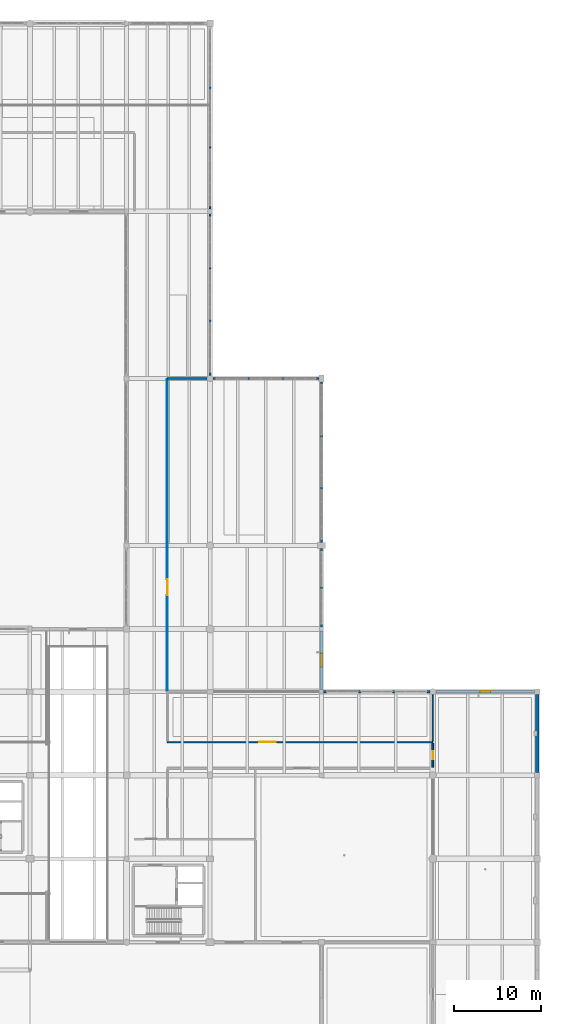
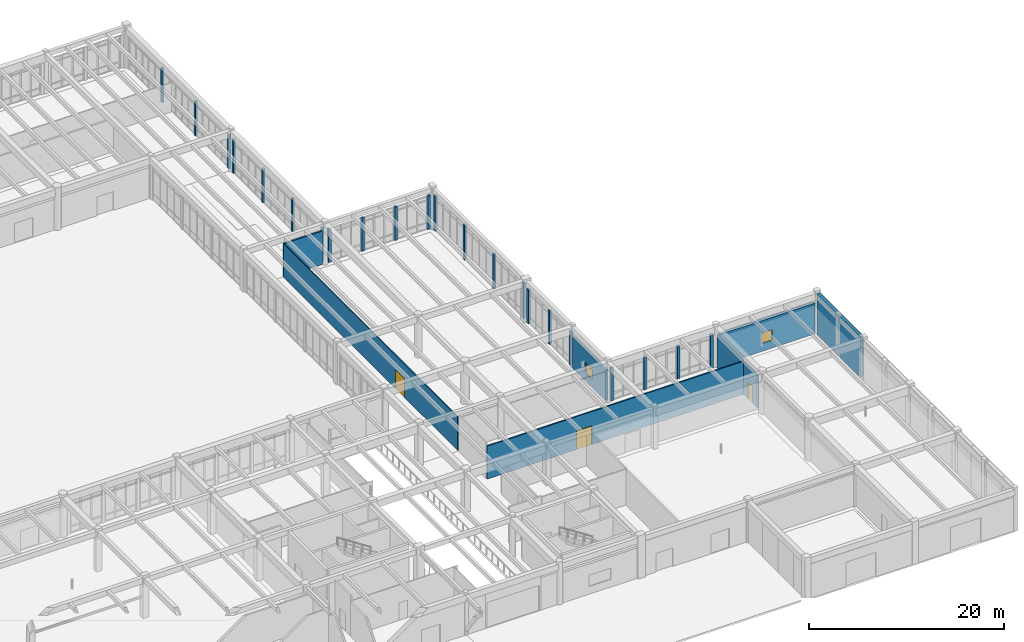
# One storey, part 116 of 138: 30 walls, 3 doors, 2 windows, 5 openings.
"""IFC4 building model written with IfcOpenShell, lengths in metres."""

from ifc_helpers import new_model, si_unit, direction, frame, frame_2d, origin, place, context, subcontext, project, spatial, rectangle, extrude, material, layer, layer_set, type_object, element, fill, save


model = new_model("IFC4")

# Units and contexts
model_context = context("Model", 3, precision=1e-05, world=origin(), true_north=direction((0.0, 1.0)))
body_context = subcontext(model_context, "Body", "Model", "MODEL_VIEW")
ifc_project = project(units=[si_unit("LENGTHUNIT", "METRE"), si_unit("AREAUNIT", "SQUARE_METRE"), si_unit("VOLUMEUNIT", "CUBIC_METRE"), si_unit("PLANEANGLEUNIT", "RADIAN"), si_unit("MASSUNIT", "GRAM", prefix="KILO")], contexts=[model_context])

# Site, building, storey
site_placement = place(None, origin())
site = spatial("IfcSite", under=ifc_project, at=site_placement, CompositionType="ELEMENT")
building_placement = place(site_placement, origin())
building = spatial("IfcBuilding", under=site, at=building_placement, Name="Fikremerkos Civic Library", CompositionType="ELEMENT")
storey_placement = place(building_placement, origin())
storey = spatial("IfcBuildingStorey", under=building, at=storey_placement, Name="L00", CompositionType="ELEMENT", Elevation=0.0)

# Wall
ifc_material_1 = material(Name="Concrete C40/50", Category="concrete")
ifc_layer_1 = layer(ifc_material_1, 0.35009765625, Name="Concrete C40/50")
ifc_layer_set_1 = layer_set([ifc_layer_1], Name="Concrete C40/50")
wall_type_1 = type_object("IfcWallType", Name="Exterior solid wall ESW-01 350", PredefinedType="SOLIDWALL", material=ifc_layer_set_1)
wall_1_placement = place(storey_placement, frame((172.0, 40.501953125, 0.0), z_axis=(0.0, 0.0, 1.0), x_axis=(0.0, -1.0, 0.0)))
element("IfcWall", 1, at=wall_1_placement, inside=storey, type_object=wall_type_1, Name="Party boundary wall ESW-01 L00 #307", PredefinedType="SOLIDWALL", context=body_context, shape_type="SweptSolid", body=[
    extrude(rectangle(XDim=8.97900390625, YDim=0.35009765625, at=frame_2d((4.489501953125, 0.0))), origin(), (0.0, 0.0, 1.0), 5.10009765625),
])

# Wall, opening, window
ifc_material_2 = material(Name="Precast concrete C40/50", Category="concrete")
ifc_layer_2 = layer(ifc_material_2, 0.320068359375, Name="Precast concrete C40/50")
ifc_layer_set_2 = layer_set([ifc_layer_2], Name="Precast concrete C40/50")
wall_type_2 = type_object("IfcWallType", Name="Exterior solid wall ESW-02 320", PredefinedType="SOLIDWALL", material=ifc_layer_set_2)
wall_2_placement = place(storey_placement, frame((147.199951171875, 47.777099609375, 0.0), z_axis=(0.0, 0.0, 1.0), x_axis=(0.0, -1.0, 0.0)))
wall_2 = element("IfcWall", 2, at=wall_2_placement, inside=storey, type_object=wall_type_2, Name="Exterior solid wall ESW-02 L00 #301", PredefinedType="SOLIDWALL", context=body_context, shape_type="SweptSolid", body=[
    extrude(rectangle(XDim=6.72900390625, YDim=0.320068359375, at=frame_2d((3.364501953125, 0.0))), origin(), (0.0, 0.0, 1.0), 3.85009765625),
])
opening_1_placement = place(wall_2_placement, frame((2.614501953125, 0.0, 0.949951171875)))
opening_1 = element("IfcOpeningElement", 3, at=opening_1_placement, cuts=wall_2, Name="Opening CWND-10", PredefinedType="OPENING", context=body_context, shape_type="SweptSolid", body=[
    extrude(rectangle(XDim=1.5, YDim=1.35009765625, at=frame_2d((0.75, 0.675048828125))), frame((0.0, 0.169921875, 0.0), z_axis=(0.0, -1.0, 0.0), x_axis=(1.0, 0.0, 0.0)), (0.0, 0.0, 1.0), 0.340087890625),
])
ifc_material_3 = material(Name="Solar control double glazing", Category="glass")
window_type_1 = type_object("IfcWindowType", Name="Courtyard window CWND-10 1500x1350", PartitioningType="SINGLE_PANEL", PredefinedType="WINDOW", material=ifc_material_3)
window_1_placement = place(opening_1_placement, origin())
window_1 = element("IfcWindow", 4, at=window_1_placement, inside=storey, type_object=window_type_1, Name="Courtyard window CWND-10 L00 #10", OverallHeight=1.35009765625, OverallWidth=1.5, PartitioningType="SINGLE_PANEL", PredefinedType="WINDOW", context=body_context, shape_type="SweptSolid", body=[
    extrude(rectangle(XDim=1.5, YDim=1.35009765625, at=frame_2d((0.75, 0.675048828125))), frame((0.0, 0.032470703125, 0.0), z_axis=(0.0, -1.0, 0.0), x_axis=(1.0, 0.0, 0.0)), (0.0, 0.0, 1.0), 0.06494140625),
])
fill(opening_1, window_1)

wall_3_placement = place(storey_placement, frame((160.347900390625, 40.800048828125, 0.0), z_axis=(0.0, 0.0, 1.0), x_axis=(1.0, 0.0, 0.0)))
wall_3 = element("IfcWall", 5, at=wall_3_placement, inside=storey, type_object=wall_type_2, Name="Exterior solid wall ESW-02 L00 #306", PredefinedType="SOLIDWALL", context=body_context, shape_type="SweptSolid", body=[
    extrude(rectangle(XDim=11.35400390625, YDim=0.320068359375, at=frame_2d((5.677001953125, 0.0))), origin(), (0.0, 0.0, 1.0), 3.85009765625),
])
opening_2_placement = place(wall_3_placement, frame((5.076904296875, 0.0, 0.949951171875)))
opening_2 = element("IfcOpeningElement", 6, at=opening_2_placement, cuts=wall_3, Name="Opening CWND-11", PredefinedType="OPENING", context=body_context, shape_type="SweptSolid", body=[
    extrude(rectangle(XDim=1.199951171875, YDim=1.35009765625, at=frame_2d((0.60009765625, 0.675048828125))), frame((0.0, 0.169921875, 0.0), z_axis=(0.0, -1.0, 0.0), x_axis=(1.0, 0.0, 0.0)), (0.0, 0.0, 1.0), 0.340087890625),
])
window_type_2 = type_object("IfcWindowType", Name="Courtyard window CWND-11 1200x1350", PartitioningType="SINGLE_PANEL", PredefinedType="WINDOW", material=ifc_material_3)
window_2_placement = place(opening_2_placement, origin())
window_2 = element("IfcWindow", 7, at=window_2_placement, inside=storey, type_object=window_type_2, Name="Courtyard window CWND-11 L00 #11", OverallHeight=1.35009765625, OverallWidth=1.199951171875, PartitioningType="SINGLE_PANEL", PredefinedType="WINDOW", context=body_context, shape_type="SweptSolid", body=[
    extrude(rectangle(XDim=1.199951171875, YDim=1.35009765625, at=frame_2d((0.60009765625, 0.675048828125))), frame((0.0, 0.032470703125, 0.0), z_axis=(0.0, -1.0, 0.0), x_axis=(1.0, 0.0, 0.0)), (0.0, 0.0, 1.0), 0.06494140625),
])
fill(opening_2, window_2)

# Walls
ifc_layer_3 = layer(ifc_material_2, 0.25, Name="Precast concrete C40/50")
ifc_layer_set_3 = layer_set([ifc_layer_3], Name="Precast concrete C40/50")
wall_type_3 = type_object("IfcWallType", Name="Exterior solid wall ESW-05 250", PredefinedType="SOLIDWALL", material=ifc_layer_set_3)
wall_4_placement = place(storey_placement, frame((134.39990234375, 96.64794921875, 0.0), z_axis=(0.0, 0.0, 1.0), x_axis=(0.0, -1.0, 0.0)))
element("IfcWall", 8, at=wall_4_placement, inside=storey, type_object=wall_type_3, Name="Exterior facade pier ESW-05 #283", PredefinedType="SOLIDWALL", context=body_context, shape_type="SweptSolid", body=[
    extrude(rectangle(XDim=0.349853515625, YDim=0.25, at=frame_2d((0.1748046875, 0.0))), origin(), (0.0, 0.0, 1.0), 4.27001953125),
])
for number, where, z_axis, x_axis, name in (
    (9, (134.39990234375, 110.333984375, 0.0), (0.0, 0.0, 1.0), (0.0, -1.0, 0.0), "Exterior facade mullion pier ESW-05 #284"),
    (10, (134.39990234375, 103.490966796875, 0.0), (0.0, 0.0, 1.0), (0.0, -1.0, 0.0), "Exterior facade mullion pier ESW-05 #285"),
):
    element("IfcWall", number, at=place(storey_placement, frame(where, z_axis=z_axis, x_axis=x_axis)), inside=storey, type_object=wall_type_3, Name=name, PredefinedType="SOLIDWALL", context=body_context, shape_type="SweptSolid", body=[
        extrude(rectangle(XDim=0.300048828125, YDim=0.25, at=frame_2d((0.14990234375, 0.0))), origin(), (0.0, 0.0, 1.0), 4.27001953125),
    ])
wall_5_placement = place(storey_placement, frame((134.39990234375, 95.701904296875, 0.0), z_axis=(0.0, 0.0, 1.0), x_axis=(0.0, -1.0, 0.0)))
element("IfcWall", 11, at=wall_5_placement, inside=storey, type_object=wall_type_3, Name="Exterior facade pier ESW-05 #286", PredefinedType="SOLIDWALL", context=body_context, shape_type="SweptSolid", body=[
    extrude(rectangle(XDim=0.349853515625, YDim=0.25, at=frame_2d((0.1748046875, 0.0))), origin(), (0.0, 0.0, 1.0), 4.199951171875),
])
wall_6_placement = place(storey_placement, frame((134.39990234375, 77.498046875, 0.0), z_axis=(0.0, 0.0, 1.0), x_axis=(0.0, -1.0, 0.0)))
element("IfcWall", 12, at=wall_6_placement, inside=storey, type_object=wall_type_3, Name="Exterior facade pier ESW-05 #287", PredefinedType="SOLIDWALL", context=body_context, shape_type="SweptSolid", body=[
    extrude(rectangle(XDim=0.35009765625, YDim=0.25, at=frame_2d((0.175048828125, 0.0))), origin(), (0.0, 0.0, 1.0), 4.199951171875),
])
wall_7_placement = place(storey_placement, frame((134.39990234375, 89.6005859375, 0.0), z_axis=(0.0, 0.0, 1.0), x_axis=(0.0, -1.0, 0.0)))
element("IfcWall", 13, at=wall_7_placement, inside=storey, type_object=wall_type_3, Name="Exterior facade mullion pier ESW-05 #288", PredefinedType="SOLIDWALL", context=body_context, shape_type="SweptSolid", body=[
    extrude(rectangle(XDim=0.2998046875, YDim=0.25, at=frame_2d((0.14990234375, 0.0))), origin(), (0.0, 0.0, 1.0), 4.199951171875),
])
wall_8_placement = place(storey_placement, frame((134.39990234375, 83.54931640625, 0.0), z_axis=(0.0, 0.0, 1.0), x_axis=(0.0, -1.0, 0.0)))
element("IfcWall", 14, at=wall_8_placement, inside=storey, type_object=wall_type_3, Name="Exterior facade mullion pier ESW-05 #289", PredefinedType="SOLIDWALL", context=body_context, shape_type="SweptSolid", body=[
    extrude(rectangle(XDim=0.300048828125, YDim=0.25, at=frame_2d((0.14990234375, 0.0))), origin(), (0.0, 0.0, 1.0), 4.199951171875),
])
wall_9_placement = place(storey_placement, frame((134.748046875, 76.800048828125, 0.0), z_axis=(0.0, 0.0, 1.0), x_axis=(1.0, 0.0, 0.0)))
element("IfcWall", 15, at=wall_9_placement, inside=storey, type_object=wall_type_3, Name="Exterior facade pier ESW-05 #290", PredefinedType="SOLIDWALL", context=body_context, shape_type="SweptSolid", body=[
    extrude(rectangle(XDim=0.349853515625, YDim=0.25, at=frame_2d((0.1748046875, 0.0))), origin(), (0.0, 0.0, 1.0), 4.199951171875),
])
wall_10_placement = place(storey_placement, frame((146.552001953125, 76.800048828125, 0.0), z_axis=(0.0, 0.0, 1.0), x_axis=(1.0, 0.0, 0.0)))
element("IfcWall", 16, at=wall_10_placement, inside=storey, type_object=wall_type_3, Name="Exterior facade pier ESW-05 #291", PredefinedType="SOLIDWALL", context=body_context, shape_type="SweptSolid", body=[
    extrude(rectangle(XDim=0.35009765625, YDim=0.25, at=frame_2d((0.175048828125, 0.0))), origin(), (0.0, 0.0, 1.0), 4.199951171875),
])
for number, where, z_axis, x_axis, name in (
    (17, (138.716064453125, 76.800048828125, 0.0), (0.0, 0.0, 1.0), (1.0, 0.0, 0.0), "Exterior facade mullion pier ESW-05 #292"),
    (18, (142.634033203125, 76.800048828125, 0.0), (0.0, 0.0, 1.0), (1.0, 0.0, 0.0), "Exterior facade mullion pier ESW-05 #293"),
):
    element("IfcWall", number, at=place(storey_placement, frame(where, z_axis=z_axis, x_axis=x_axis)), inside=storey, type_object=wall_type_3, Name=name, PredefinedType="SOLIDWALL", context=body_context, shape_type="SweptSolid", body=[
        extrude(rectangle(XDim=0.300048828125, YDim=0.25, at=frame_2d((0.14990234375, 0.0))), origin(), (0.0, 0.0, 1.0), 4.199951171875),
    ])
for number, where, z_axis, x_axis, name in (
    (19, (147.199951171875, 76.402099609375, 0.0), (0.0, 0.0, 1.0), (0.0, -1.0, 0.0), "Exterior facade pier ESW-05 #294"),
    (20, (147.199951171875, 58.298095703125, 0.0), (0.0, 0.0, 1.0), (0.0, -1.0, 0.0), "Exterior facade pier ESW-05 #295"),
):
    element("IfcWall", number, at=place(storey_placement, frame(where, z_axis=z_axis, x_axis=x_axis)), inside=storey, type_object=wall_type_3, Name=name, PredefinedType="SOLIDWALL", context=body_context, shape_type="SweptSolid", body=[
        extrude(rectangle(XDim=0.35009765625, YDim=0.25, at=frame_2d((0.175048828125, 0.0))), origin(), (0.0, 0.0, 1.0), 4.39990234375),
    ])
wall_11_placement = place(storey_placement, frame((147.199951171875, 70.333984375, 0.0), z_axis=(0.0, 0.0, 1.0), x_axis=(0.0, -1.0, 0.0)))
element("IfcWall", 21, at=wall_11_placement, inside=storey, type_object=wall_type_3, Name="Exterior facade mullion pier ESW-05 #296", PredefinedType="SOLIDWALL", context=body_context, shape_type="SweptSolid", body=[
    extrude(rectangle(XDim=0.300048828125, YDim=0.25, at=frame_2d((0.14990234375, 0.0))), origin(), (0.0, 0.0, 1.0), 4.39990234375),
])
wall_12_placement = place(storey_placement, frame((147.199951171875, 64.31591796875, 0.0), z_axis=(0.0, 0.0, 1.0), x_axis=(0.0, -1.0, 0.0)))
element("IfcWall", 22, at=wall_12_placement, inside=storey, type_object=wall_type_3, Name="Exterior facade mullion pier ESW-05 #297", PredefinedType="SOLIDWALL", context=body_context, shape_type="SweptSolid", body=[
    extrude(rectangle(XDim=0.2998046875, YDim=0.25, at=frame_2d((0.14990234375, 0.0))), origin(), (0.0, 0.0, 1.0), 4.39990234375),
])
wall_13_placement = place(storey_placement, frame((147.199951171875, 57.251953125, 0.0), z_axis=(0.0, 0.0, 1.0), x_axis=(0.0, -1.0, 0.0)))
element("IfcWall", 23, at=wall_13_placement, inside=storey, type_object=wall_type_3, Name="Exterior facade pier ESW-05 #298", PredefinedType="SOLIDWALL", context=body_context, shape_type="SweptSolid", body=[
    extrude(rectangle(XDim=0.349853515625, YDim=0.25, at=frame_2d((0.1748046875, 0.0))), origin(), (0.0, 0.0, 1.0), 4.25),
])
wall_14_placement = place(storey_placement, frame((147.199951171875, 48.572998046875, 0.0), z_axis=(0.0, 0.0, 1.0), x_axis=(0.0, -1.0, 0.0)))
element("IfcWall", 24, at=wall_14_placement, inside=storey, type_object=wall_type_3, Name="Exterior facade pier ESW-05 #299", PredefinedType="SOLIDWALL", context=body_context, shape_type="SweptSolid", body=[
    extrude(rectangle(XDim=0.35009765625, YDim=0.25, at=frame_2d((0.175048828125, 0.0))), origin(), (0.0, 0.0, 1.0), 4.25),
])
wall_15_placement = place(storey_placement, frame((147.199951171875, 52.887451171875, 0.0), z_axis=(0.0, 0.0, 1.0), x_axis=(0.0, -1.0, 0.0)))
element("IfcWall", 25, at=wall_15_placement, inside=storey, type_object=wall_type_3, Name="Exterior facade mullion pier ESW-05 #300", PredefinedType="SOLIDWALL", context=body_context, shape_type="SweptSolid", body=[
    extrude(rectangle(XDim=0.300048828125, YDim=0.25, at=frame_2d((0.14990234375, 0.0))), origin(), (0.0, 0.0, 1.0), 4.25),
])
for number, where, z_axis, x_axis, name in (
    (26, (147.447998046875, 40.800048828125, 0.0), (0.0, 0.0, 1.0), (1.0, 0.0, 0.0), "Exterior facade pier ESW-05 #302"),
    (27, (159.302001953125, 40.800048828125, 0.0), (0.0, 0.0, 1.0), (1.0, 0.0, 0.0), "Exterior facade pier ESW-05 #303"),
):
    element("IfcWall", number, at=place(storey_placement, frame(where, z_axis=z_axis, x_axis=x_axis)), inside=storey, type_object=wall_type_3, Name=name, PredefinedType="SOLIDWALL", context=body_context, shape_type="SweptSolid", body=[
        extrude(rectangle(XDim=0.35009765625, YDim=0.25, at=frame_2d((0.175048828125, 0.0))), origin(), (0.0, 0.0, 1.0), 4.139892578125),
    ])
wall_16_placement = place(storey_placement, frame((151.4326171875, 40.800048828125, 0.0), z_axis=(0.0, 0.0, 1.0), x_axis=(1.0, 0.0, 0.0)))
element("IfcWall", 28, at=wall_16_placement, inside=storey, type_object=wall_type_3, Name="Exterior facade mullion pier ESW-05 #304", PredefinedType="SOLIDWALL", context=body_context, shape_type="SweptSolid", body=[
    extrude(rectangle(XDim=0.300048828125, YDim=0.25, at=frame_2d((0.14990234375, 0.0))), origin(), (0.0, 0.0, 1.0), 4.139892578125),
])
wall_17_placement = place(storey_placement, frame((155.367431640625, 40.800048828125, 0.0), z_axis=(0.0, 0.0, 1.0), x_axis=(1.0, 0.0, 0.0)))
element("IfcWall", 29, at=wall_17_placement, inside=storey, type_object=wall_type_3, Name="Exterior facade mullion pier ESW-05 #305", PredefinedType="SOLIDWALL", context=body_context, shape_type="SweptSolid", body=[
    extrude(rectangle(XDim=0.2998046875, YDim=0.25, at=frame_2d((0.14990234375, 0.0))), origin(), (0.0, 0.0, 1.0), 4.139892578125),
])
ifc_material_4 = material(Name="Acoustic concrete blockwork", Category="masonry")
ifc_layer_4 = layer(ifc_material_4, 0.18994140625, Name="Acoustic concrete blockwork")
ifc_layer_set_4 = layer_set([ifc_layer_4], Name="Acoustic concrete blockwork")
wall_type_4 = type_object("IfcWallType", Name="Interior partition wall IPW-01 190", PredefinedType="PARTITIONING", material=ifc_layer_set_4)
wall_18_placement = place(storey_placement, frame((129.5, 76.800048828125, 0.0), z_axis=(0.0, 0.0, 1.0), x_axis=(1.0, 0.0, 0.0)))
element("IfcWall", 30, at=wall_18_placement, inside=storey, type_object=wall_type_4, Name="Interior wall IPW-01 L00 #116", PredefinedType="PARTITIONING", context=body_context, shape_type="SweptSolid", body=[
    extrude(rectangle(XDim=4.547119140625, YDim=0.18994140625, at=frame_2d((2.2734375, 0.0))), origin(), (0.0, 0.0, 1.0), 4.199951171875),
])

# Wall, opening, door
wall_19_placement = place(storey_placement, frame((160.0, 32.10498046875, 0.0), z_axis=(0.0, 0.0, 1.0), x_axis=(0.0, 1.0, 0.0)))
wall_19 = element("IfcWall", 31, at=wall_19_placement, inside=storey, type_object=wall_type_4, Name="Interior wall IPW-01 L00 #144", PredefinedType="PARTITIONING", context=body_context, shape_type="SweptSolid", body=[
    extrude(rectangle(XDim=2.7900390625, YDim=0.18994140625, at=frame_2d((1.39501953125, 0.0))), origin(), (0.0, 0.0, 1.0), 4.139892578125),
])
opening_3_placement = place(wall_19_placement, frame((0.919921875, 0.0, 0.0)))
opening_3 = element("IfcOpeningElement", 32, at=opening_3_placement, cuts=wall_19, Name="Opening D179", PredefinedType="OPENING", context=body_context, shape_type="SweptSolid", body=[
    extrude(rectangle(XDim=0.949951171875, YDim=2.14990234375, at=frame_2d((0.47509765625, 1.074951171875))), frame((0.0, 0.10498046875, 0.0), z_axis=(0.0, -1.0, 0.0), x_axis=(1.0, 0.0, 0.0)), (0.0, 0.0, 1.0), 0.2099609375),
])
ifc_material_5 = material(Name="Hardwood timber and acoustic glass", Category="wood")
door_type_1 = type_object("IfcDoorType", Name="Pedestrian door DT-02 950x2150", OperationType="NOTDEFINED", PredefinedType="DOOR", material=ifc_material_5)
door_1_placement = place(opening_3_placement, origin())
door_1 = element("IfcDoor", 33, at=door_1_placement, inside=storey, type_object=door_type_1, Name="Interior door D179 L00", OperationType="SINGLE_SWING_LEFT", OverallHeight=2.14990234375, OverallWidth=0.949951171875, PredefinedType="DOOR", context=body_context, shape_type="SweptSolid", body=[
    extrude(rectangle(XDim=0.949951171875, YDim=2.14990234375, at=frame_2d((0.47509765625, 1.074951171875))), frame((0.0, 0.032470703125, 0.0), z_axis=(0.0, -1.0, 0.0), x_axis=(1.0, 0.0, 0.0)), (0.0, 0.0, 1.0), 0.06494140625),
])
fill(opening_3, door_1)

ifc_material_6 = material(Name="Acoustic gypsum stud partition")
ifc_layer_5 = layer(ifc_material_6, 0.14990234375, Name="Acoustic gypsum stud partition")
ifc_layer_set_5 = layer_set([ifc_layer_5], Name="Acoustic gypsum stud partition")
wall_type_5 = type_object("IfcWallType", Name="Interior partition wall IPW-02 150", PredefinedType="PARTITIONING", material=ifc_layer_set_5)
wall_20_placement = place(storey_placement, frame((129.5, 35.0, 0.0), z_axis=(0.0, 0.0, 1.0), x_axis=(1.0, 0.0, 0.0)))
wall_20 = element("IfcWall", 34, at=wall_20_placement, inside=storey, type_object=wall_type_5, Name="Interior wall IPW-02 L00 #113", PredefinedType="PARTITIONING", context=body_context, shape_type="SweptSolid", body=[
    extrude(rectangle(XDim=30.5, YDim=0.14990234375, at=frame_2d((15.25, 0.0))), origin(), (0.0, 0.0, 1.0), 4.139892578125),
])
opening_4_placement = place(wall_20_placement, frame((10.574951171875, 0.0, 0.0)))
opening_4 = element("IfcOpeningElement", 35, at=opening_4_placement, cuts=wall_20, Name="Opening D181", PredefinedType="OPENING", context=body_context, shape_type="SweptSolid", body=[
    extrude(rectangle(XDim=1.85009765625, YDim=2.35009765625, at=frame_2d((0.925048828125, 1.175048828125))), frame((0.0, 0.0849609375, 0.0), z_axis=(0.0, -1.0, 0.0), x_axis=(1.0, 0.0, 0.0)), (0.0, 0.0, 1.0), 0.169921875),
])
door_type_2 = type_object("IfcDoorType", Name="Pedestrian door DT-09 1850x2350", OperationType="NOTDEFINED", PredefinedType="DOOR", material=ifc_material_5)
door_2_placement = place(opening_4_placement, origin())
door_2 = element("IfcDoor", 36, at=door_2_placement, inside=storey, type_object=door_type_2, Name="Interior door D181 L00", OperationType="SINGLE_SWING_RIGHT", OverallHeight=2.35009765625, OverallWidth=1.85009765625, PredefinedType="DOOR", context=body_context, shape_type="SweptSolid", body=[
    extrude(rectangle(XDim=1.85009765625, YDim=2.35009765625, at=frame_2d((0.925048828125, 1.175048828125))), frame((0.0, 0.032470703125, 0.0), z_axis=(0.0, -1.0, 0.0), x_axis=(1.0, 0.0, 0.0)), (0.0, 0.0, 1.0), 0.06494140625),
])
fill(opening_4, door_2)

# Wall
wall_21_placement = place(storey_placement, frame((160.0, 35.10498046875, 0.0), z_axis=(0.0, 0.0, 1.0), x_axis=(0.0, 1.0, 0.0)))
element("IfcWall", 37, at=wall_21_placement, inside=storey, type_object=wall_type_5, Name="Interior wall IPW-02 L00 #145", PredefinedType="PARTITIONING", context=body_context, shape_type="SweptSolid", body=[
    extrude(rectangle(XDim=5.342041015625, YDim=0.14990234375, at=frame_2d((2.6708984375, 0.0))), origin(), (0.0, 0.0, 1.0), 4.139892578125),
])

# Wall, opening, door
ifc_material_7 = material(Name="Lightweight metal stud partition")
ifc_layer_6 = layer(ifc_material_7, 0.110107421875, Name="Lightweight metal stud partition")
ifc_layer_set_6 = layer_set([ifc_layer_6], Name="Lightweight metal stud partition")
wall_type_6 = type_object("IfcWallType", Name="Interior partition wall IPW-04 110", PredefinedType="PARTITIONING", material=ifc_layer_set_6)
wall_22_placement = place(storey_placement, frame((129.5, 40.905029296875, 0.0), z_axis=(0.0, 0.0, 1.0), x_axis=(0.0, 1.0, 0.0)))
wall_22 = element("IfcWall", 38, at=wall_22_placement, inside=storey, type_object=wall_type_6, Name="Interior wall IPW-04 L00 #139", PredefinedType="PARTITIONING", context=body_context, shape_type="SweptSolid", body=[
    extrude(rectangle(XDim=35.7900390625, YDim=0.110107421875, at=frame_2d((17.89501953125, 0.0))), origin(), (0.0, 0.0, 1.0), 4.199951171875),
])
opening_5_placement = place(wall_22_placement, frame((10.969970703125, 0.0, 0.0)))
opening_5 = element("IfcOpeningElement", 39, at=opening_5_placement, cuts=wall_22, Name="Opening D182", PredefinedType="OPENING", context=body_context, shape_type="SweptSolid", body=[
    extrude(rectangle(XDim=1.85009765625, YDim=2.35009765625, at=frame_2d((0.925048828125, 1.175048828125))), frame((0.0, 0.06494140625, 0.0), z_axis=(0.0, -1.0, 0.0), x_axis=(1.0, 0.0, 0.0)), (0.0, 0.0, 1.0), 0.130126953125),
])
door_3_placement = place(opening_5_placement, origin())
door_3 = element("IfcDoor", 40, at=door_3_placement, inside=storey, type_object=door_type_2, Name="Interior door D182 L00", OperationType="SINGLE_SWING_LEFT", OverallHeight=2.35009765625, OverallWidth=1.85009765625, PredefinedType="DOOR", context=body_context, shape_type="SweptSolid", body=[
    extrude(rectangle(XDim=1.85009765625, YDim=2.35009765625, at=frame_2d((0.925048828125, 1.175048828125))), frame((0.0, 0.032470703125, 0.0), z_axis=(0.0, -1.0, 0.0), x_axis=(1.0, 0.0, 0.0)), (0.0, 0.0, 1.0), 0.06494140625),
])
fill(opening_5, door_3)

save(model, "model.ifc")
